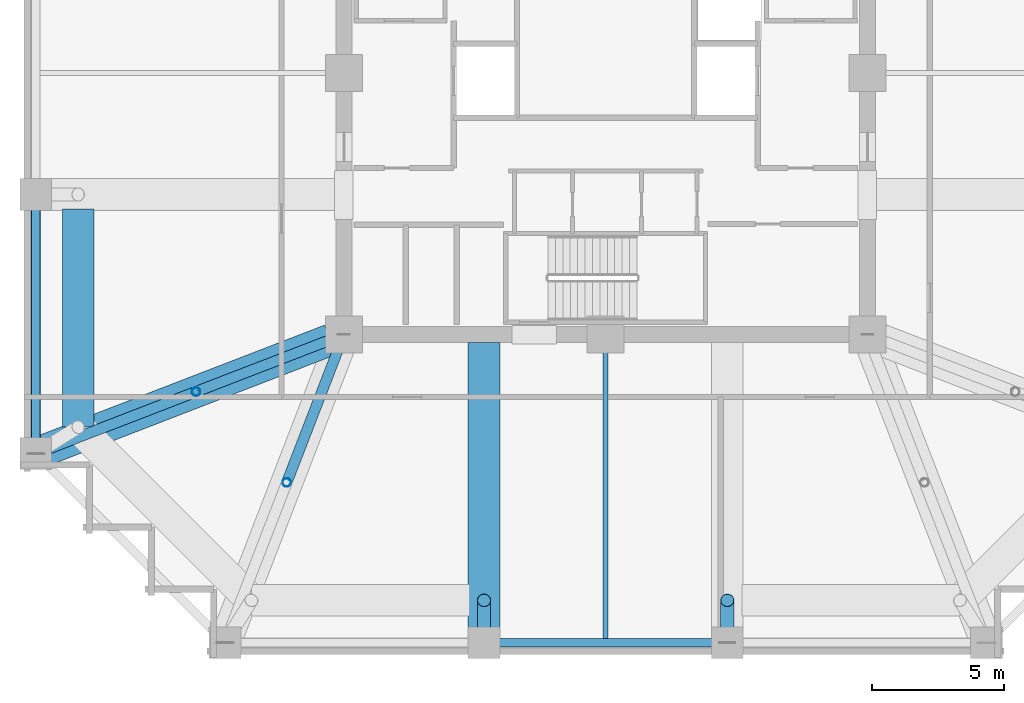
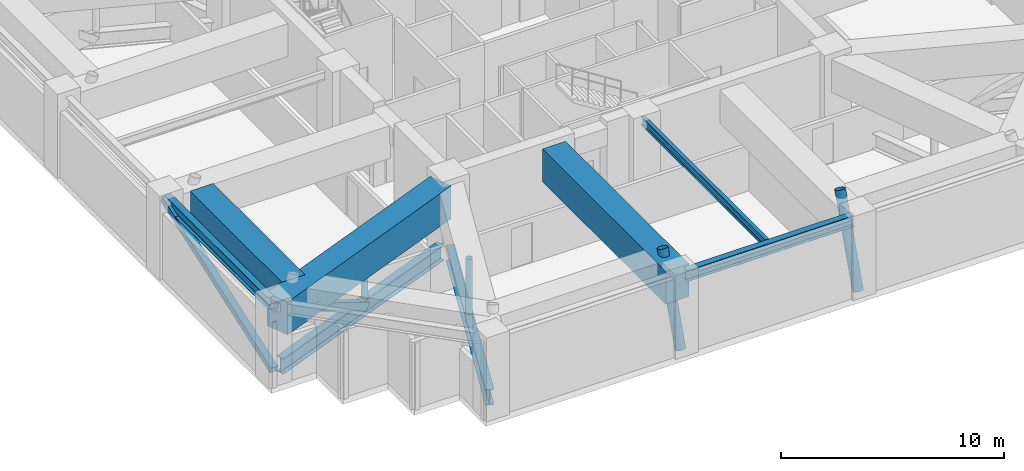
# One storey, part 2 of 15: 8 beams, 6 members.
"""IFC4 building model written with IfcOpenShell, lengths in metres."""

from ifc_helpers import new_model, si_unit, direction, frame, origin, origin_2d, place, context, subcontext, project, spatial, rectangle, hollow_rectangle, hollow_circle, i_section, extrude, material, material_profile, profile_set, type_object, element, save


model = new_model("IFC4")

# Units and contexts
model_context = context("Model", 3, precision=1e-05, world=origin(), true_north=direction((0.0, 1.0)))
body_context = subcontext(model_context, "Body", "Model", "MODEL_VIEW")
ifc_project = project(units=[si_unit("LENGTHUNIT", "METRE"), si_unit("AREAUNIT", "SQUARE_METRE"), si_unit("VOLUMEUNIT", "CUBIC_METRE"), si_unit("PLANEANGLEUNIT", "RADIAN"), si_unit("MASSUNIT", "GRAM", prefix="KILO")], contexts=[model_context])

# Site, building, storey
site_placement = place(None, origin())
site = spatial("IfcSite", under=ifc_project, at=site_placement, CompositionType="ELEMENT")
building_placement = place(site_placement, origin())
building = spatial("IfcBuilding", under=site, at=building_placement, Name="Kolvaren Belvedere", CompositionType="ELEMENT")
storey_placement = place(building_placement, frame((0.0, 0.0, 63.39990234375)))
storey = spatial("IfcBuildingStorey", under=building, at=storey_placement, Name="L18", CompositionType="ELEMENT", Elevation=63.39990234375)

# Beams
ifc_material_1 = material(Name="Structural steel ASTM A992 Grade 50", Category="steel")
ifc_material_profile_1 = material_profile(ifc_material_1, i_section(OverallWidth=0.39990234375, OverallDepth=0.85595703125, WebThickness=0.018310546875, FlangeThickness=0.029296875, FilletRadius=0.02490234375, at=origin_2d()), Name="W33X201")
ifc_profile_set_1 = profile_set([ifc_material_profile_1], Name="Structural steel ASTM A992 Grade 50")
beam_type_1 = type_object("IfcBeamType", Name="BM-GIRD-W33X201", PredefinedType="BEAM", material=ifc_profile_set_1)
for number, where, z_axis, x_axis, name in (
    (1, (-10.09814453125, -10.4130859375, 0.47998046875), (-0.360321534967, -0.932828168228, 0.0), (0.932828168228, -0.360321534967, 0.0), "L18 Outrigger Truss Bottom Chord OB-1"),
    (2, (-10.4130859375, -10.09814453125, 0.47998046875), (-0.932828168228, -0.360321534967, 0.0), (0.360321534967, -0.932828168228, 0.0), "L18 Outrigger Truss Bottom Chord OB-2"),
):
    element("IfcBeam", number, at=place(storey_placement, frame(where, z_axis=z_axis, x_axis=x_axis)), inside=storey, type_object=beam_type_1, Name=name, PredefinedType="BEAM", context=body_context, shape_type="SweptSolid", body=[
        extrude(i_section(OverallWidth=0.39990234375, OverallDepth=0.85595703125, WebThickness=0.018310546875, FlangeThickness=0.029296875, FilletRadius=0.02490234375, at=origin_2d()), origin(), (0.0, 0.0, 1.0), 11.48876953125),
    ])
ifc_material_2 = material(Name="Structural steel ASTM A992 Grade 50", Category="steel")
ifc_material_profile_2 = material_profile(ifc_material_2, i_section(OverallWidth=0.19091796875, OverallDepth=0.4599609375, WebThickness=0.010009765625, FlangeThickness=0.01611328125, FilletRadius=0.014892578125, at=origin_2d()), Name="W18X55")
ifc_profile_set_2 = profile_set([ifc_material_profile_2], Name="Structural steel ASTM A992 Grade 50")
beam_type_2 = type_object("IfcBeamType", Name="BM-JOIST-W18X55", PredefinedType="BEAM", material=ifc_profile_set_2)
beam_1_placement = place(storey_placement, frame((0.0, -10.199951171875, 4.070068359375), z_axis=(0.0, -1.0, 0.0), x_axis=(1.0, 0.0, 0.0)))
element("IfcBeam", 3, at=beam_1_placement, inside=storey, type_object=beam_type_2, Name="L18 South Centre Floor Beam", PredefinedType="BEAM", context=body_context, shape_type="SweptSolid", body=[
    extrude(i_section(OverallWidth=0.19091796875, OverallDepth=0.4599609375, WebThickness=0.010009765625, FlangeThickness=0.01611328125, FilletRadius=0.014892578125, at=origin_2d()), origin(), (0.0, 0.0, 1.0), 11.1875),
])
ifc_material_3 = material(Name="Structural steel ASTM A992 Grade 50", Category="steel")
ifc_material_profile_3 = material_profile(ifc_material_3, i_section(OverallWidth=0.324951171875, OverallDepth=0.615966796875, WebThickness=0.013916015625, FlangeThickness=0.021484375, FilletRadius=0.02001953125, at=origin_2d()), Name="W24X117")
ifc_profile_set_3 = profile_set([ifc_material_profile_3], Name="Structural steel ASTM A992 Grade 50")
beam_type_3 = type_object("IfcBeamType", Name="BM-SPAN-W24X117", PredefinedType="SPANDREL", material=ifc_profile_set_3)
beam_2_placement = place(storey_placement, frame((-4.330078125, -21.550048828125, 3.9921875), z_axis=(1.0, 0.0, 0.0), x_axis=(0.0, 1.0, 0.0)))
element("IfcBeam", 4, at=beam_2_placement, inside=storey, type_object=beam_type_3, Name="L18 Perimeter Spandrel S2-S3", PredefinedType="SPANDREL", context=body_context, shape_type="SweptSolid", body=[
    extrude(i_section(OverallWidth=0.324951171875, OverallDepth=0.615966796875, WebThickness=0.013916015625, FlangeThickness=0.021484375, FilletRadius=0.02001953125, at=origin_2d()), origin(), (0.0, 0.0, 1.0), 8.66015625),
])
beam_3_placement = place(storey_placement, frame((-21.550048828125, -4.8701171875, 3.9921875), z_axis=(0.0, -1.0, 0.0), x_axis=(1.0, 0.0, 0.0)))
element("IfcBeam", 5, at=beam_3_placement, inside=storey, type_object=beam_type_3, Name="L18 Perimeter Spandrel W2-W1", PredefinedType="SPANDREL", context=body_context, shape_type="SweptSolid", body=[
    extrude(i_section(OverallWidth=0.324951171875, OverallDepth=0.615966796875, WebThickness=0.013916015625, FlangeThickness=0.021484375, FilletRadius=0.02001953125, at=origin_2d()), origin(), (0.0, 0.0, 1.0), 9.259765625),
])
ifc_material_4 = material(Name="Concrete C50/60", Category="concrete")
ifc_material_profile_4 = material_profile(ifc_material_4, rectangle(XDim=1.199951171875, YDim=1.800048828125, at=origin_2d()), Name="RC 1200X1800")
ifc_profile_set_4 = profile_set([ifc_material_profile_4], Name="Concrete C50/60")
beam_type_4 = type_object("IfcBeamType", Name="BM-TG-1800", PredefinedType="BEAM", material=ifc_profile_set_4)
beam_4_placement = place(storey_placement, frame((-19.949951171875, -5.14990234375, 3.400146484375), z_axis=(0.0, -1.0, 0.0), x_axis=(1.0, 0.0, 0.0)))
element("IfcBeam", 6, at=beam_4_placement, inside=storey, type_object=beam_type_4, Name="L18 Step Transfer Ring Girder W2-W1", PredefinedType="BEAM", context=body_context, shape_type="SweptSolid", body=[
    extrude(rectangle(XDim=1.199951171875, YDim=1.800048828125, at=origin_2d()), origin(), (0.0, 0.0, 1.0), 8.25),
])
beam_5_placement = place(storey_placement, frame((-4.60009765625, -10.199951171875, 3.400146484375), z_axis=(0.0, -1.0, 0.0), x_axis=(1.0, 0.0, 0.0)))
element("IfcBeam", 7, at=beam_5_placement, inside=storey, type_object=beam_type_4, Name="L18 South Radial Girder M", PredefinedType="BEAM", context=body_context, shape_type="SweptSolid", body=[
    extrude(rectangle(XDim=1.199951171875, YDim=1.800048828125, at=origin_2d()), origin(), (0.0, 0.0, 1.0), 11.080078125),
])
beam_6_placement = place(storey_placement, frame((-10.4130859375, -10.09814453125, 3.400146484375), z_axis=(-0.932829382313, -0.360318391835, 0.0), x_axis=(0.360318391835, -0.932829382313, 0.0)))
element("IfcBeam", 8, at=beam_6_placement, inside=storey, type_object=beam_type_4, Name="L18 Corner Core-to-Perimeter Girder CC1-W1", PredefinedType="BEAM", context=body_context, shape_type="SweptSolid", body=[
    extrude(rectangle(XDim=1.199951171875, YDim=1.800048828125, at=origin_2d()), origin(), (0.0, 0.0, 1.0), 11.698974609375),
])

# Members
ifc_material_5 = material(Name="Structural steel ASTM A500 Grade C", Category="steel")
ifc_material_profile_5 = material_profile(ifc_material_5, hollow_rectangle(XDim=0.35595703125, YDim=0.35595703125, WallThickness=0.01171875, at=origin_2d()), Name="HSS14X14X1/2")
ifc_profile_set_5 = profile_set([ifc_material_profile_5], Name="Structural steel ASTM A500 Grade C")
member_type_1 = type_object("IfcMemberType", Name="MB-BELT-BRACE", PredefinedType="BRACE", material=ifc_profile_set_5)
member_1_placement = place(storey_placement, frame((-21.550048828125, -14.39990234375, 0.47998046875), z_axis=(0.0, 0.942643852008, 0.333800192139), x_axis=(-1.0, 0.0, 0.0)))
element("IfcMember", 9, at=member_1_placement, inside=storey, type_object=member_type_1, Name="L18 Perimeter Belt Truss Brace BT-5", PredefinedType="BRACE", context=body_context, shape_type="SweptSolid", body=[
    extrude(hollow_rectangle(XDim=0.35595703125, YDim=0.35595703125, WallThickness=0.01171875, at=origin_2d()), origin(), (0.0, 0.0, 1.0), 10.39599609375),
])
ifc_material_6 = material(Name="Structural steel ASTM A500 Grade C", Category="steel")
ifc_material_profile_6 = material_profile(ifc_material_6, hollow_circle(Radius=0.162109375, WallThickness=0.01171875, at=origin_2d()), Name="HSS12.750X0.500")
ifc_profile_set_6 = profile_set([ifc_material_profile_6], Name="Structural steel ASTM A500 Grade C")
member_type_2 = type_object("IfcMemberType", Name="MB-CAN-POST", PredefinedType="POST", material=ifc_profile_set_6)
for number, where, z_axis, x_axis, name in (
    (10, (-12.06005859375, -15.491943359375, 0.47998046875), (0.0, 0.0, 1.0), (1.0, 0.0, 0.0), "L18 Outrigger Portal Post OP-1"),
    (11, (-15.491943359375, -12.06005859375, 0.47998046875), (0.0, 0.0, 1.0), (1.0, 0.0, 0.0), "L18 Outrigger Portal Post OP-2"),
):
    element("IfcMember", number, at=place(storey_placement, frame(where, z_axis=z_axis, x_axis=x_axis)), inside=storey, type_object=member_type_2, Name=name, PredefinedType="POST", context=body_context, shape_type="SweptSolid", body=[
        extrude(hollow_circle(Radius=0.162109375, WallThickness=0.01171875, at=origin_2d()), origin(), (0.0, 0.0, 1.0), 3.47021484375),
    ])
ifc_material_7 = material(Name="Structural steel ASTM A500 Grade C", Category="steel")
ifc_material_profile_7 = material_profile(ifc_material_7, hollow_rectangle(XDim=0.406005859375, YDim=0.406005859375, WallThickness=0.014892578125, at=origin_2d()), Name="HSS16X16X5/8")
ifc_profile_set_7 = profile_set([ifc_material_profile_7], Name="Structural steel ASTM A500 Grade C")
member_type_3 = type_object("IfcMemberType", Name="MB-OUTRIGGER", PredefinedType="BRACE", material=ifc_profile_set_7)
member_2_placement = place(storey_placement, frame((-15.491943359375, -12.06005859375, 0.47998046875), z_axis=(-0.822745426831, -0.317771909839, 0.471286511525), x_axis=(0.360293711668, -0.932838914997, 0.0)))
element("IfcMember", 12, at=member_2_placement, inside=storey, type_object=member_type_3, Name="L18 Outrigger Truss Diagonal OT-2A", PredefinedType="BRACE", context=body_context, shape_type="SweptSolid", body=[
    extrude(hollow_rectangle(XDim=0.406005859375, YDim=0.406005859375, WallThickness=0.014892578125, at=origin_2d()), origin(), (0.0, 0.0, 1.0), 7.36328125),
])
ifc_material_8 = material(Name="Structural steel ASTM A500 Grade C", Category="steel")
ifc_material_profile_8 = material_profile(ifc_material_8, hollow_circle(Radius=0.25390625, WallThickness=0.01171875, at=origin_2d()), Name="HSS20.000X0.500")
ifc_profile_set_8 = profile_set([ifc_material_profile_8], Name="Structural steel ASTM A500 Grade C")
member_type_4 = type_object("IfcMemberType", Name="MB-WAIST-STRUT", PredefinedType="STRUT", material=ifc_profile_set_8)
for number, where, z_axis, x_axis, name in (
    (13, (-4.60009765625, -21.550048828125, 0.0), (0.0, 0.328532290219, 0.944492739137), (-1.0, 0.0, 0.0), "L18 Inclined Waist Transition Strut S2"),
    (14, (4.60009765625, -21.550048828125, 0.0), (0.0, 0.328532290219, 0.944492739137), (-1.0, 0.0, 0.0), "L18 Inclined Waist Transition Strut S3"),
):
    element("IfcMember", number, at=place(storey_placement, frame(where, z_axis=z_axis, x_axis=x_axis)), inside=storey, type_object=member_type_4, Name=name, PredefinedType="STRUT", context=body_context, shape_type="SweptSolid", body=[
        extrude(hollow_circle(Radius=0.25390625, WallThickness=0.01171875, at=origin_2d()), origin(), (0.0, 0.0, 1.0), 4.870361328125),
    ])

save(model, "model.ifc")
